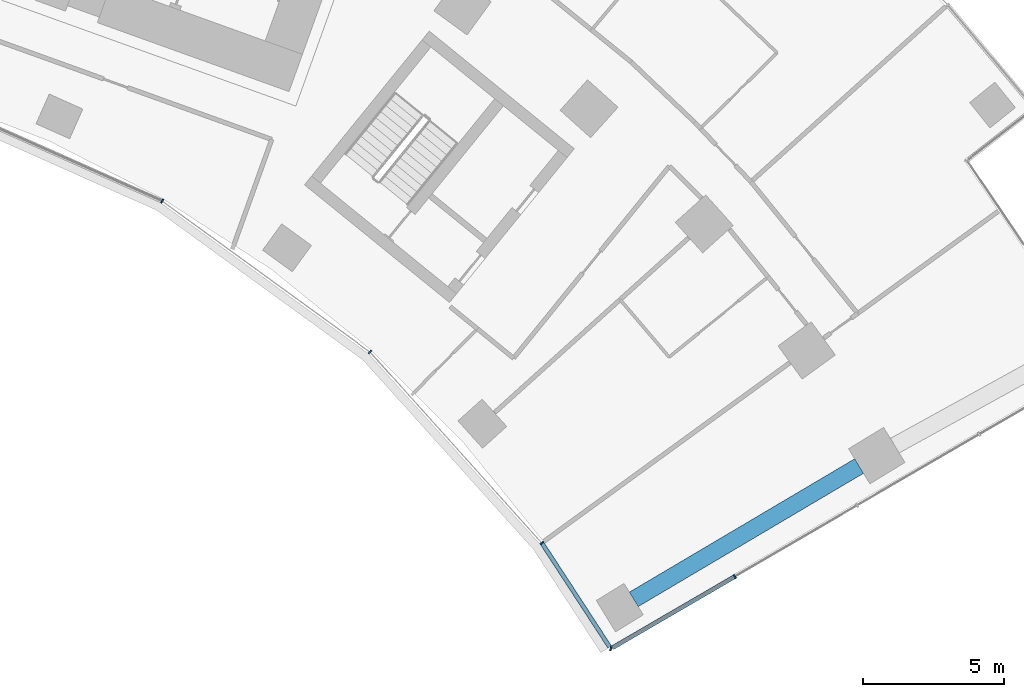
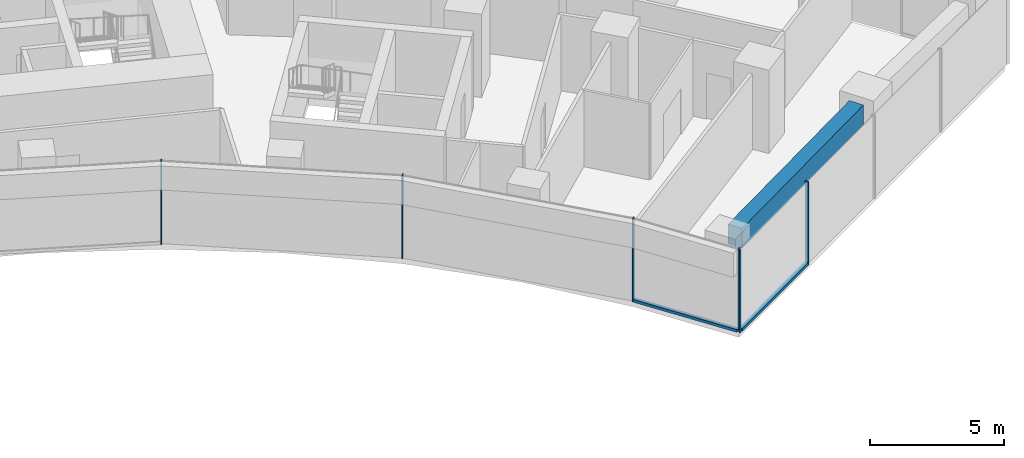
# One storey, part 8 of 21: 7 members, 1 beam, 2 elements without a shape of their own.
"""IFC4 building model written with IfcOpenShell, lengths in metres."""

from ifc_helpers import new_model, si_unit, direction, frame, origin, origin_2d, place, context, subcontext, project, spatial, rectangle, extrude, material, layer, layer_set, material_profile, profile_set, type_object, element, aggregate, save


model = new_model("IFC4")

# Units and contexts
model_context = context("Model", 3, precision=1e-05, world=origin(), true_north=direction((0.0, 1.0)))
body_context = subcontext(model_context, "Body", "Model", "MODEL_VIEW")
ifc_project = project(units=[si_unit("LENGTHUNIT", "METRE"), si_unit("AREAUNIT", "SQUARE_METRE"), si_unit("VOLUMEUNIT", "CUBIC_METRE"), si_unit("PLANEANGLEUNIT", "RADIAN"), si_unit("MASSUNIT", "GRAM", prefix="KILO")], contexts=[model_context])

# Site, building, storey
site_placement = place(None, origin())
site = spatial("IfcSite", under=ifc_project, at=site_placement, CompositionType="ELEMENT")
building_placement = place(site_placement, origin())
building = spatial("IfcBuilding", under=site, at=building_placement, Name="Stone Belt Terrace Tower", CompositionType="ELEMENT")
storey_placement = place(building_placement, frame((0.0, 0.0, 94.60009765625)))
storey = spatial("IfcBuildingStorey", under=building, at=storey_placement, Name="L22", CompositionType="ELEMENT", Elevation=94.60009765625)

# Curtain wall, members
ifc_material_1 = material(Name="Aluminium 6063-T6 anodised frame", Category="aluminium")
ifc_layer_1 = layer(ifc_material_1, 0.14990234375)
ifc_layer_set_1 = layer_set([ifc_layer_1], Name="CW-B unitised concave-face curtain wall")
curtain_wall_type_1 = type_object("IfcCurtainWallType", Name="CW-B unitised concave-face curtain wall", PredefinedType="NOTDEFINED", material=ifc_layer_set_1)
curtain_wall_1_placement = place(storey_placement, origin())
curtain_wall_1 = element("IfcCurtainWall", 1, at=curtain_wall_1_placement, inside=storey, type_object=curtain_wall_type_1, Name="CW-B concave face L22", PredefinedType="NOTDEFINED")
ifc_material_profile_1 = material_profile(ifc_material_1, rectangle(XDim=0.14990234375, YDim=0.050048828125, at=origin_2d()), Name="Aluminium 6063-T6 50x150")
ifc_profile_set_1 = profile_set([ifc_material_profile_1], Name="Aluminium 6063-T6 anodised frame")
member_type_1 = type_object("IfcMemberType", Name="CW-B mullion 50 x 150", PredefinedType="MULLION", material=ifc_profile_set_1)
member_1_placement = place(storey_placement, frame((21.71240234375, 37.606689453125, 0.0), z_axis=(0.0, 0.0, 1.0), x_axis=(0.5, 0.866025403784, 0.0)))
member_1 = element("IfcMember", 2, at=member_1_placement, type_object=member_type_1, Name="CW-B mullion 8", PredefinedType="MULLION", context=body_context, shape_type="SweptSolid", body=[
    extrude(rectangle(XDim=0.14990234375, YDim=0.050048828125, at=origin_2d()), origin(), (0.0, 0.0, 1.0), 3.7998046875),
])
member_2_placement = place(storey_placement, frame((29.056640625, 32.270751953125, 0.0), z_axis=(0.0, 0.0, 1.0), x_axis=(0.669130606359, 0.743144825477, 0.0)))
member_2 = element("IfcMember", 3, at=member_2_placement, type_object=member_type_1, Name="CW-B mullion 9", PredefinedType="MULLION", context=body_context, shape_type="SweptSolid", body=[
    extrude(rectangle(XDim=0.14990234375, YDim=0.050048828125, at=origin_2d()), origin(), (0.0, 0.0, 1.0), 3.7998046875),
])
member_3_placement = place(storey_placement, frame((35.132568359375, 25.522705078125, 0.0), z_axis=(0.0, 0.0, 1.0), x_axis=(0.792811047542, 0.609467507662, 0.0)))
member_3 = element("IfcMember", 4, at=member_3_placement, type_object=member_type_1, Name="CW-B mullion 10", PredefinedType="MULLION", context=body_context, shape_type="SweptSolid", body=[
    extrude(rectangle(XDim=0.14990234375, YDim=0.050048828125, at=origin_2d()), origin(), (0.0, 0.0, 1.0), 3.7998046875),
])
ifc_material_profile_2 = material_profile(ifc_material_1, rectangle(XDim=0.14990234375, YDim=0.1201171875, at=origin_2d()), Name="Aluminium 6063-T6 150x120")
ifc_profile_set_2 = profile_set([ifc_material_profile_2], Name="Aluminium 6063-T6 anodised frame")
member_type_2 = type_object("IfcMemberType", Name="CW-B transom 120 x 150", PredefinedType="USERDEFINED", material=ifc_profile_set_2)
member_4_placement = place(storey_placement, frame((35.1494140625, 25.4970703125, 0.059814453125), z_axis=(0.546136356084, -0.83769629375, 0.0), x_axis=(0.83769629375, 0.546136356084, 0.0)))
member_4 = element("IfcMember", 5, at=member_4_placement, type_object=member_type_2, Name="CW-B transom 10.1", ObjectType="TRANSOM", PredefinedType="USERDEFINED", context=body_context, shape_type="SweptSolid", body=[
    extrude(rectangle(XDim=0.14990234375, YDim=0.1201171875, at=origin_2d()), origin(), (0.0, 0.0, 1.0), 4.363525390625),
])
aggregate(curtain_wall_1, [member_1, member_2, member_3, member_4])

ifc_layer_2 = layer(ifc_material_1, 0.14990234375)
ifc_layer_set_2 = layer_set([ifc_layer_2], Name="CW-C stick curtain wall, horn ends and notches")
curtain_wall_type_2 = type_object("IfcCurtainWallType", Name="CW-C stick curtain wall, horn ends and notches", PredefinedType="NOTDEFINED", material=ifc_layer_set_2)
curtain_wall_2_placement = place(storey_placement, origin())
curtain_wall_2 = element("IfcCurtainWall", 6, at=curtain_wall_2_placement, inside=storey, type_object=curtain_wall_type_2, Name="CW-C end face L22", PredefinedType="NOTDEFINED")
ifc_material_profile_3 = material_profile(ifc_material_1, rectangle(XDim=0.14990234375, YDim=0.06005859375, at=origin_2d()), Name="Aluminium 6063-T6 60x150")
ifc_profile_set_3 = profile_set([ifc_material_profile_3], Name="Aluminium 6063-T6 anodised frame")
member_type_3 = type_object("IfcMemberType", Name="CW-C mullion 60 x 150", PredefinedType="MULLION", material=ifc_profile_set_3)
member_5_placement = place(storey_placement, frame((37.570556640625, 21.783447265625, 0.0), z_axis=(0.0, 0.0, 1.0), x_axis=(0.230847440535, 0.972989958426, 0.0)))
member_5 = element("IfcMember", 7, at=member_5_placement, type_object=member_type_3, Name="CW-C mullion 1", PredefinedType="MULLION", context=body_context, shape_type="SweptSolid", body=[
    extrude(rectangle(XDim=0.14990234375, YDim=0.06005859375, at=origin_2d()), origin(), (0.0, 0.0, 1.0), 3.7998046875),
])
member_6_placement = place(storey_placement, frame((41.953369140625, 24.334716796875, 0.0), z_axis=(0.0, 0.0, 1.0), x_axis=(-0.503080901861, 0.864239322284, 0.0)))
member_6 = element("IfcMember", 8, at=member_6_placement, type_object=member_type_3, Name="CW-C mullion 2", PredefinedType="MULLION", context=body_context, shape_type="SweptSolid", body=[
    extrude(rectangle(XDim=0.14990234375, YDim=0.06005859375, at=origin_2d()), origin(), (0.0, 0.0, 1.0), 3.7998046875),
])
ifc_material_profile_4 = material_profile(ifc_material_1, rectangle(XDim=0.14990234375, YDim=0.1201171875, at=origin_2d()), Name="Aluminium 6063-T6 150x120")
ifc_profile_set_4 = profile_set([ifc_material_profile_4], Name="Aluminium 6063-T6 anodised frame")
member_type_4 = type_object("IfcMemberType", Name="CW-C transom 120 x 150", PredefinedType="USERDEFINED", material=ifc_profile_set_4)
member_7_placement = place(storey_placement, frame((37.634033203125, 21.8203125, 0.059814453125), z_axis=(0.864238402529, 0.5030824819, 0.0), x_axis=(-0.5030824819, 0.864238402529, 0.0)))
member_7 = element("IfcMember", 9, at=member_7_placement, type_object=member_type_4, Name="CW-C transom 1.1", ObjectType="TRANSOM", PredefinedType="USERDEFINED", context=body_context, shape_type="SweptSolid", body=[
    extrude(rectangle(XDim=0.14990234375, YDim=0.1201171875, at=origin_2d()), origin(), (0.0, 0.0, 1.0), 4.968017578125),
])
aggregate(curtain_wall_2, [member_5, member_6, member_7])

# Beam
ifc_material_2 = material(Name="Concrete B60", Category="concrete")
ifc_material_profile_5 = material_profile(ifc_material_2, rectangle(XDim=0.60009765625, YDim=0.89990234375, at=origin_2d()), Name="RC 600x900")
ifc_profile_set_5 = profile_set([ifc_material_profile_5], Name="Concrete B60")
beam_type = type_object("IfcBeamType", Name="Edge beam RC 600x900 B60", PredefinedType="SPANDREL", material=ifc_profile_set_5)
beam_placement = place(storey_placement, frame((38.3828125, 23.52783203125, 3.02978515625), z_axis=(0.860646513691, 0.509202885372, 0.0), x_axis=(-0.509202885372, 0.860646513691, 0.0)))
element("IfcBeam", 10, at=beam_placement, inside=storey, type_object=beam_type, Name="Edge beam L22 B P to Q", PredefinedType="SPANDREL", context=body_context, shape_type="SweptSolid", body=[
    extrude(rectangle(XDim=0.60009765625, YDim=0.89990234375, at=origin_2d()), origin(), (0.0, 0.0, 1.0), 9.255859375),
])

save(model, "model.ifc")
